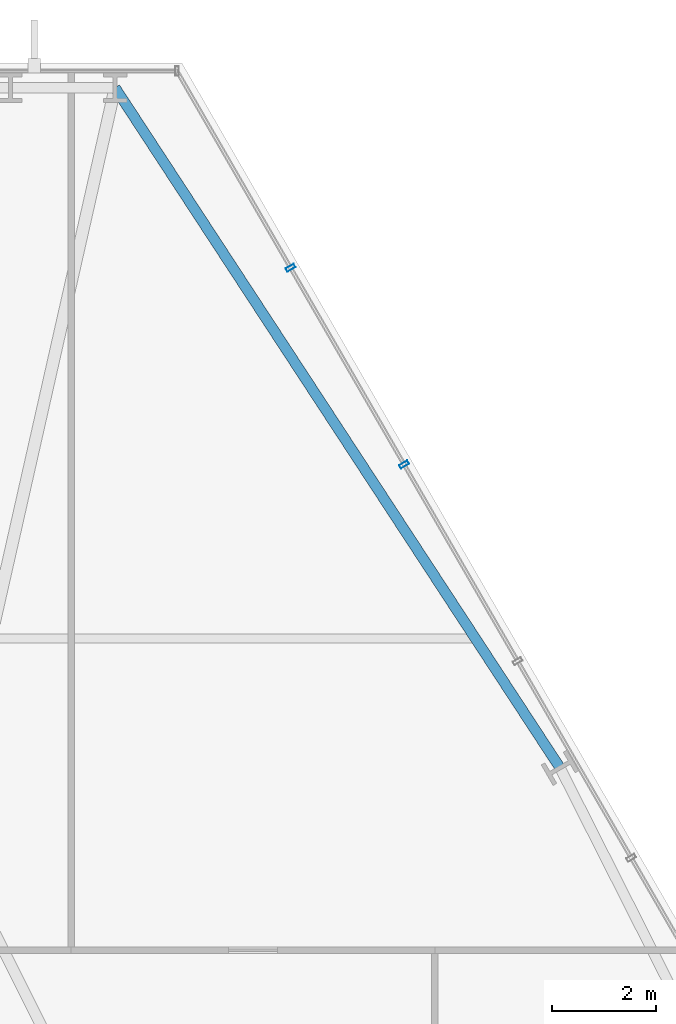
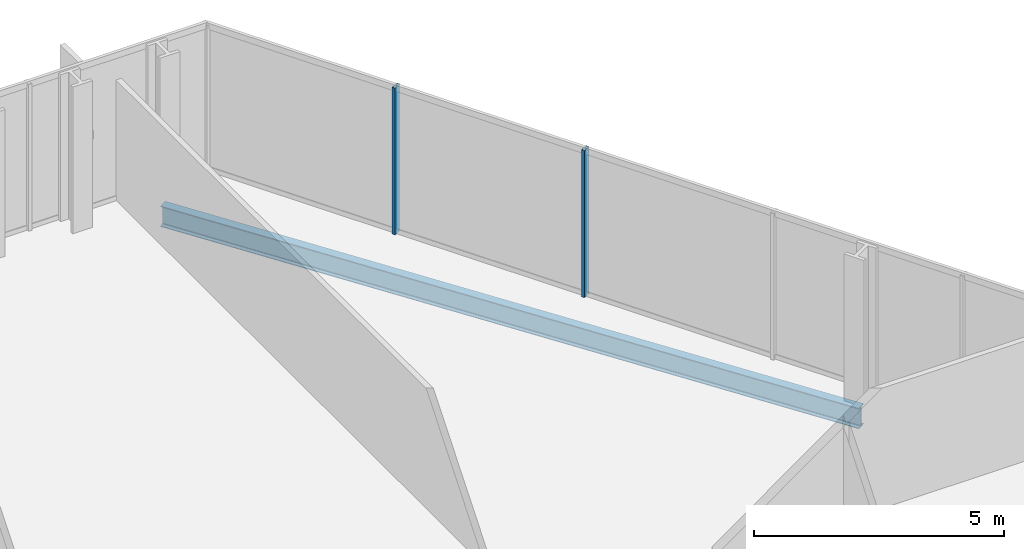
# One storey, part 25 of 33: 2 members, 1 beam, 1 element without a shape of its own.
"""IFC4 building model written with IfcOpenShell, lengths in metres."""

from ifc_helpers import new_model, si_unit, direction, frame, origin, origin_2d, place, context, subcontext, project, spatial, hollow_rectangle, i_section, extrude, material, layer, layer_set, material_profile, profile_set, type_object, element, aggregate, save


model = new_model("IFC4")

# Units and contexts
model_context = context("Model", 3, precision=1e-05, world=origin(), true_north=direction((0.0, 1.0)))
body_context = subcontext(model_context, "Body", "Model", "MODEL_VIEW")
ifc_project = project(units=[si_unit("LENGTHUNIT", "METRE"), si_unit("AREAUNIT", "SQUARE_METRE"), si_unit("VOLUMEUNIT", "CUBIC_METRE"), si_unit("PLANEANGLEUNIT", "RADIAN"), si_unit("MASSUNIT", "GRAM", prefix="KILO")], contexts=[model_context])

# Site, building, storey
site_placement = place(None, origin())
site = spatial("IfcSite", under=ifc_project, at=site_placement, CompositionType="ELEMENT")
building_placement = place(site_placement, origin())
building = spatial("IfcBuilding", under=site, at=building_placement, Name="Ndaravel Arena Tower", CompositionType="ELEMENT")
storey_placement = place(building_placement, frame((0.0, 0.0, 36.0)))
storey = spatial("IfcBuildingStorey", under=building, at=storey_placement, Name="L06", CompositionType="ELEMENT", Elevation=36.0)

# Beam
ifc_material_1 = material(Name="Steel S355", Category="steel")
ifc_material_profile_1 = material_profile(ifc_material_1, i_section(OverallWidth=0.199951171875, OverallDepth=0.5, WebThickness=0.01025390625, FlangeThickness=0.01611328125, FilletRadius=0.02099609375, at=origin_2d()), Name="IPE 500")
ifc_profile_set_1 = profile_set([ifc_material_profile_1], Name="Steel S355")
beam_type = type_object("IfcBeamType", Name="BM-SPAN-IPE500", PredefinedType="SPANDREL", material=ifc_profile_set_1)
beam_placement = place(storey_placement, frame((57.605712890625, 32.510009765625, -0.469970703125), z_axis=(-0.547517816718, 0.83679402506, 0.0), x_axis=(-0.83679402506, -0.547517816718, 0.0)))
element("IfcBeam", 1, at=beam_placement, inside=storey, type_object=beam_type, Name="L06 Perimeter Spandrel Beam SP-10", PredefinedType="SPANDREL", context=body_context, shape_type="SweptSolid", body=[
    extrude(i_section(OverallWidth=0.199951171875, OverallDepth=0.5, WebThickness=0.01025390625, FlangeThickness=0.01611328125, FilletRadius=0.02099609375, at=origin_2d()), origin(), (0.0, 0.0, 1.0), 15.631103515625),
])

# Curtain wall, members
ifc_material_2 = material(Name="Aluminium", Category="aluminium")
ifc_layer = layer(ifc_material_2, 0.179931640625)
ifc_layer_set = layer_set([ifc_layer], Name="Aluminium")
curtain_wall_type = type_object("IfcCurtainWallType", Name="CW-SYS-03", PredefinedType="NOTDEFINED", material=ifc_layer_set)
curtain_wall_placement = place(storey_placement, origin())
curtain_wall = element("IfcCurtainWall", 2, at=curtain_wall_placement, inside=storey, type_object=curtain_wall_type, Name="L06 Faceted Crystal Curtain Wall CW-L06-E03", PredefinedType="NOTDEFINED")
ifc_material_3 = material(Name="Aluminium", Category="aluminium")
ifc_material_profile_2 = material_profile(ifc_material_3, hollow_rectangle(XDim=0.074951171875, YDim=0.179931640625, WallThickness=0.00390625, at=origin_2d()), Name="CW MULLION 75x180x4")
ifc_profile_set_2 = profile_set([ifc_material_profile_2], Name="Aluminium")
member_type = type_object("IfcMemberType", Name="MEM-CW-MUL180", PredefinedType="MULLION", material=ifc_profile_set_2)
member_1_placement = place(storey_placement, frame((54.60693359375, 38.34423828125, 0.0), z_axis=(0.0, 0.0, 1.0), x_axis=(-0.5, 0.866025403784, 0.0)))
member_1 = element("IfcMember", 3, at=member_1_placement, type_object=member_type, Name="CW-L06-E03 Mullion 05", PredefinedType="MULLION", context=body_context, shape_type="SweptSolid", body=[
    extrude(hollow_rectangle(XDim=0.074951171875, YDim=0.179931640625, WallThickness=0.00390625, at=origin_2d()), origin(), (0.0, 0.0, 1.0), 3.580078125),
])
member_2_placement = place(storey_placement, frame((52.4228515625, 42.127197265625, 0.0), z_axis=(0.0, 0.0, 1.0), x_axis=(-0.5, 0.866025403784, 0.0)))
member_2 = element("IfcMember", 4, at=member_2_placement, type_object=member_type, Name="CW-L06-E03 Mullion 06", PredefinedType="MULLION", context=body_context, shape_type="SweptSolid", body=[
    extrude(hollow_rectangle(XDim=0.074951171875, YDim=0.179931640625, WallThickness=0.00390625, at=origin_2d()), origin(), (0.0, 0.0, 1.0), 3.580078125),
])
aggregate(curtain_wall, [member_1, member_2])

save(model, "model.ifc")
